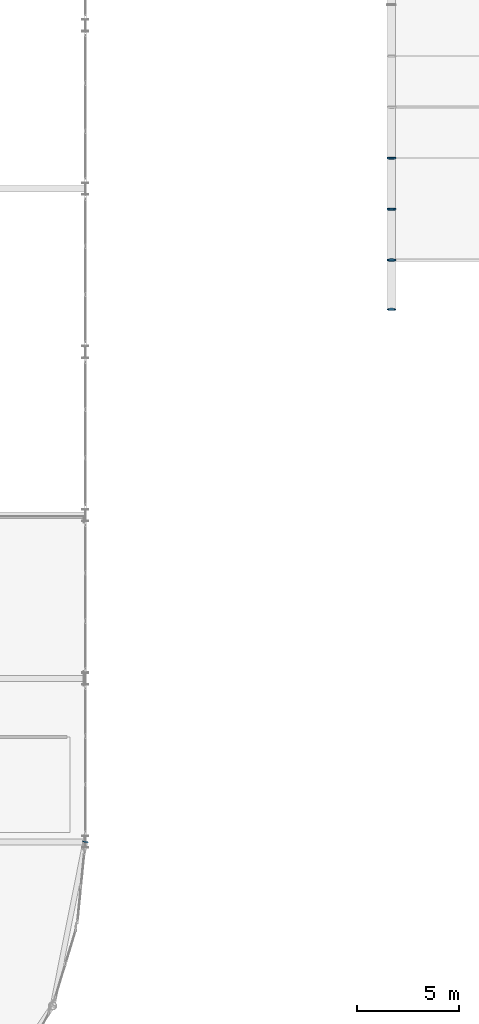
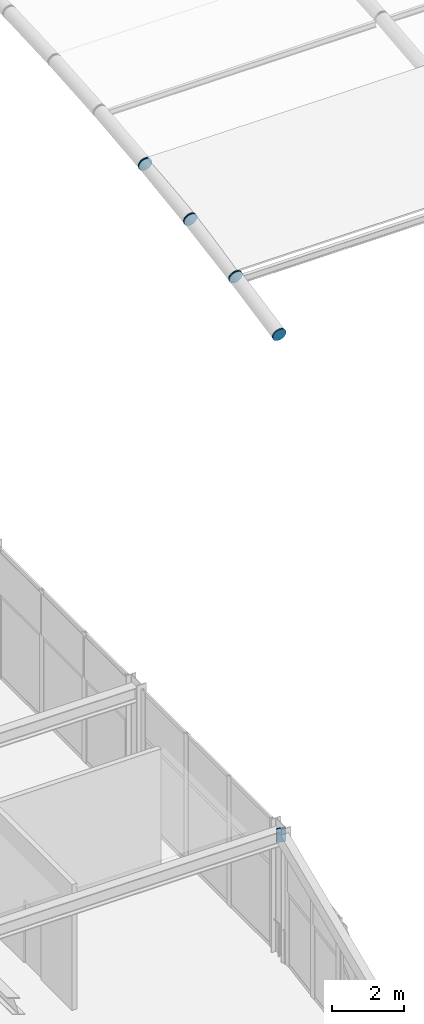
# One storey, part 77 of 105: 8 discrete accessories.
"""IFC4 building model written with IfcOpenShell, lengths in metres."""

from ifc_helpers import new_model, si_unit, direction, frame, origin, origin_2d, place, context, subcontext, project, spatial, rectangle, circle, extrude, material, element, save


model = new_model("IFC4")

# Units and contexts
model_context = context("Model", 3, precision=1e-05, world=origin(), true_north=direction((0.0, 1.0)))
body_context = subcontext(model_context, "Body", "Model", "MODEL_VIEW")
ifc_project = project(units=[si_unit("LENGTHUNIT", "METRE"), si_unit("AREAUNIT", "SQUARE_METRE"), si_unit("VOLUMEUNIT", "CUBIC_METRE"), si_unit("PLANEANGLEUNIT", "RADIAN"), si_unit("MASSUNIT", "GRAM", prefix="KILO")], contexts=[model_context])

# Site, building, storey
site_placement = place(None, origin())
site = spatial("IfcSite", under=ifc_project, at=site_placement, CompositionType="ELEMENT")
building_placement = place(site_placement, origin())
building = spatial("IfcBuilding", under=site, at=building_placement, Name="Marlcrest Central Station", CompositionType="ELEMENT")
storey_placement = place(building_placement, frame((0.0, 0.0, 15.0)))
storey = spatial("IfcBuildingStorey", under=building, at=storey_placement, Name="L03", CompositionType="ELEMENT", Elevation=15.0)

# Discrete accessories
ifc_material = material(Name="Steel S355", Category="steel")
for number, where, z_axis, x_axis, name in (
    (1, (144.0, 48.5654296875, -0.0859375), (0.0, 0.980359417961, 0.197219196874), (-1.0, 0.0, 0.0), "endcap-mem-AC-01-L03-01112-s"),
    (2, (144.0, 50.9755859375, 0.39892578125), (0.0, 0.980359417961, 0.197219196874), (-1.0, 0.0, 0.0), "endcap-mem-AC-01-L03-01112-e"),
    (3, (144.0, 50.985107421875, 0.4013671875), (0.0, 0.98574109921, 0.168269086076), (-1.0, 0.0, 0.0), "endcap-mem-AC-01-L03-01116-s"),
    (4, (144.0, 53.475341796875, 0.826416015625), (0.0, 0.98574109921, 0.168269086076), (-1.0, 0.0, 0.0), "endcap-mem-AC-01-L03-01116-e"),
    (5, (144.0, 53.485107421875, 0.82861328125), (0.0, 0.990402740232, 0.138211476152), (-1.0, 0.0, 0.0), "endcap-mem-AC-01-L03-01120-s"),
    (6, (144.0, 55.975341796875, 1.176025390625), (0.0, 0.990402740232, 0.138211476152), (-1.0, 0.0, 0.0), "endcap-mem-AC-01-L03-01120-e"),
    (7, (144.0, 55.985107421875, 1.177734375), (0.0, 0.994155341034, 0.107959056565), (-1.0, 0.0, 0.0), "endcap-mem-AC-01-L03-01124-s"),
):
    element("IfcDiscreteAccessory", number, at=place(storey_placement, frame(where, z_axis=z_axis, x_axis=x_axis)), inside=storey, material=ifc_material, Name=name, ObjectType="END_CAP_PLATE", PredefinedType="BRACKET", context=body_context, shape_type="SweptSolid", body=[
        extrude(circle(Radius=0.211181640625, at=origin_2d()), origin(), (0.0, 0.0, 1.0), 0.0400390625),
    ])
discrete_accessory_placement = place(storey_placement, frame((128.9951171875, 22.4755859375, 4.10009765625), z_axis=(0.19517056122, 0.980769316421, 0.0), x_axis=(-0.980769316421, 0.19517056122, 0.0)))
element("IfcDiscreteAccessory", 8, at=discrete_accessory_placement, inside=storey, material=ifc_material, Name="endcap-bm-SP-02-L03-01412-e", ObjectType="END_CAP_PLATE", PredefinedType="BRACKET", context=body_context, shape_type="SweptSolid", body=[
    extrude(rectangle(XDim=0.26611328125, YDim=0.466064453125, at=origin_2d()), origin(), (0.0, 0.0, 1.0), 0.0400390625),
])

save(model, "model.ifc")
